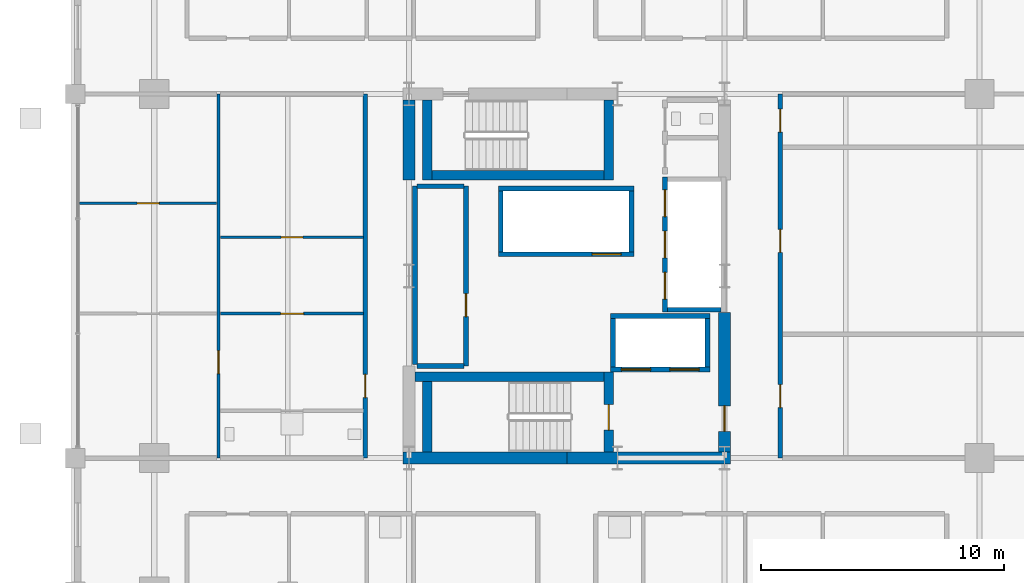
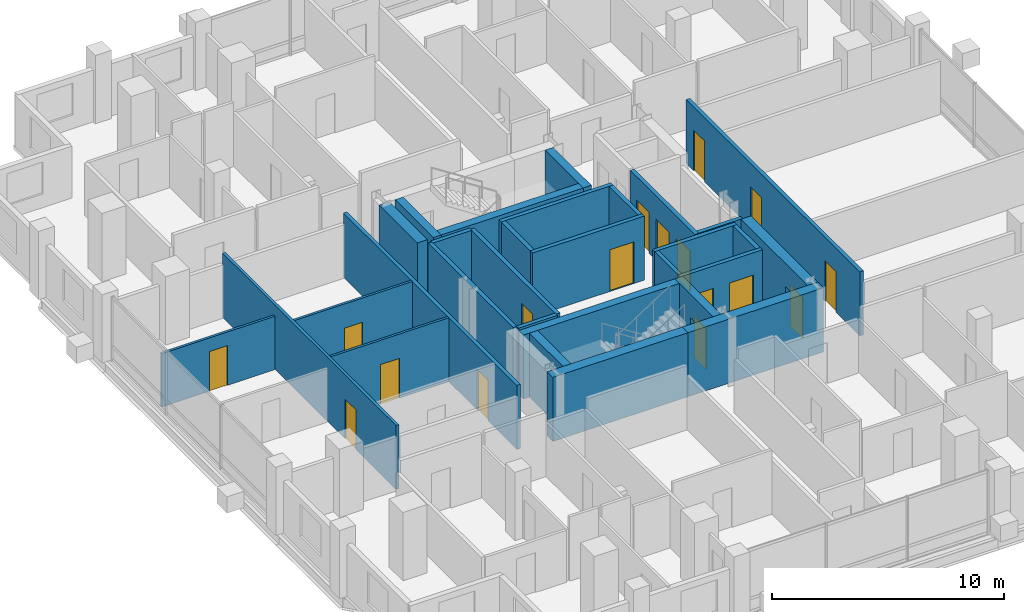
# One storey, part 15 of 20: 30 walls, 17 doors, 17 openings.
"""IFC4 building model written with IfcOpenShell, lengths in metres."""

from ifc_helpers import new_model, si_unit, direction, frame, frame_2d, origin, place, context, subcontext, project, spatial, rectangle, extrude, material, layer, layer_set, type_object, element, fill, save


model = new_model("IFC4")

# Units and contexts
model_context = context("Model", 3, precision=1e-05, world=origin(), true_north=direction((0.0, 1.0)))
body_context = subcontext(model_context, "Body", "Model", "MODEL_VIEW")
ifc_project = project(units=[si_unit("LENGTHUNIT", "METRE"), si_unit("AREAUNIT", "SQUARE_METRE"), si_unit("VOLUMEUNIT", "CUBIC_METRE"), si_unit("PLANEANGLEUNIT", "RADIAN"), si_unit("MASSUNIT", "GRAM", prefix="KILO")], contexts=[model_context])

# Site, building, storey
site_placement = place(None, origin())
site = spatial("IfcSite", under=ifc_project, at=site_placement, CompositionType="ELEMENT")
building_placement = place(site_placement, origin())
building = spatial("IfcBuilding", under=site, at=building_placement, Name="Barlavira Tower and Art Museum", CompositionType="ELEMENT")
storey_placement = place(building_placement, frame((0.0, 0.0, 136.800048828125)))
storey = spatial("IfcBuildingStorey", under=building, at=storey_placement, Name="L34", CompositionType="ELEMENT", Elevation=136.800048828125)

# Wall, opening, door
ifc_material_1 = material(Name="Gypsum acoustic stud partition", Category="gypsum")
ifc_layer_1 = layer(ifc_material_1, 0.1201171875, Name="Gypsum acoustic stud partition")
ifc_layer_set_1 = layer_set([ifc_layer_1], Name="Gypsum acoustic stud partition")
wall_type_1 = type_object("IfcWallType", Name="Apartment Internal Acoustic Partition 120", PredefinedType="PARTITIONING", material=ifc_layer_set_1)
wall_1_placement = place(storey_placement, frame((-14.27001953125, -1.550048828125, 0.0), z_axis=(0.0, 0.0, 1.0), x_axis=(1.0, 0.0, 0.0)))
wall_1 = element("IfcWall", 1, at=wall_1_placement, inside=storey, type_object=wall_type_1, Name="L34 Partition Wall 54", PredefinedType="PARTITIONING", context=body_context, shape_type="SweptSolid", body=[
    extrude(rectangle(XDim=5.89013671875, YDim=0.1201171875, at=frame_2d((2.945068359375, 0.0))), origin(), (0.0, 0.0, 1.0), 3.3798828125),
])
opening_1_placement = place(wall_1_placement, frame((2.47509765625, 0.0, 0.0)))
opening_1 = element("IfcOpeningElement", 2, at=opening_1_placement, cuts=wall_1, Name="Opening D-02", PredefinedType="OPENING", context=body_context, shape_type="SweptSolid", body=[
    extrude(rectangle(XDim=0.949951171875, YDim=2.10009765625, at=frame_2d((0.47509765625, 1.050048828125))), frame((0.0, 0.070068359375, 0.0), z_axis=(0.0, -1.0, 0.0), x_axis=(1.0, 0.0, 0.0)), (0.0, 0.0, 1.0), 0.14013671875),
])
ifc_material_2 = material(Name="Engineered coastal hardwood", Category="wood")
door_type_1 = type_object("IfcDoorType", Name="Living and Salon Glazed-Leaf Door 950x2100", OperationType="NOTDEFINED", PredefinedType="DOOR", material=ifc_material_2)
door_1_placement = place(opening_1_placement, origin())
door_1 = element("IfcDoor", 3, at=door_1_placement, inside=storey, type_object=door_type_1, Name="Apartment W1 Kitchen Door", OperationType="SINGLE_SWING_RIGHT", OverallHeight=2.10009765625, OverallWidth=0.949951171875, PredefinedType="DOOR", context=body_context, shape_type="SweptSolid", body=[
    extrude(rectangle(XDim=0.949951171875, YDim=2.10009765625, at=frame_2d((0.47509765625, 1.050048828125))), frame((0.0, 0.02490234375, 0.0), z_axis=(0.0, -1.0, 0.0), x_axis=(1.0, 0.0, 0.0)), (0.0, 0.0, 1.0), 0.050048828125),
])
fill(opening_1, door_1)

wall_2_placement = place(storey_placement, frame((-14.27001953125, 1.60009765625, 0.0), z_axis=(0.0, 0.0, 1.0), x_axis=(1.0, 0.0, 0.0)))
wall_2 = element("IfcWall", 4, at=wall_2_placement, inside=storey, type_object=wall_type_1, Name="L34 Partition Wall 55", PredefinedType="PARTITIONING", context=body_context, shape_type="SweptSolid", body=[
    extrude(rectangle(XDim=5.89013671875, YDim=0.1201171875, at=frame_2d((2.945068359375, 0.0))), origin(), (0.0, 0.0, 1.0), 3.3798828125),
])
opening_2_placement = place(wall_2_placement, frame((2.5, 0.0, 0.0)))
opening_2 = element("IfcOpeningElement", 5, at=opening_2_placement, cuts=wall_2, Name="Opening D-01", PredefinedType="OPENING", context=body_context, shape_type="SweptSolid", body=[
    extrude(rectangle(XDim=0.89990234375, YDim=2.10009765625, at=frame_2d((0.449951171875, 1.050048828125))), frame((0.0, 0.070068359375, 0.0), z_axis=(0.0, -1.0, 0.0), x_axis=(1.0, 0.0, 0.0)), (0.0, 0.0, 1.0), 0.14013671875),
])
door_type_2 = type_object("IfcDoorType", Name="Internal Bedroom Timber Flush Door 900x2100", OperationType="NOTDEFINED", PredefinedType="DOOR", material=ifc_material_2)
door_2_placement = place(opening_2_placement, origin())
door_2 = element("IfcDoor", 6, at=door_2_placement, inside=storey, type_object=door_type_2, Name="Apartment W1 Walk-In Dressing Room Door", OperationType="SINGLE_SWING_LEFT", OverallHeight=2.10009765625, OverallWidth=0.89990234375, PredefinedType="DOOR", context=body_context, shape_type="SweptSolid", body=[
    extrude(rectangle(XDim=0.89990234375, YDim=2.10009765625, at=frame_2d((0.449951171875, 1.050048828125))), frame((0.0, 0.02490234375, 0.0), z_axis=(0.0, -1.0, 0.0), x_axis=(1.0, 0.0, 0.0)), (0.0, 0.0, 1.0), 0.050048828125),
])
fill(opening_2, door_2)

wall_3_placement = place(storey_placement, frame((-20.070068359375, 3.0, 0.0), z_axis=(0.0, 0.0, 1.0), x_axis=(1.0, 0.0, 0.0)))
wall_3 = element("IfcWall", 7, at=wall_3_placement, inside=storey, type_object=wall_type_1, Name="L34 Partition Wall 56", PredefinedType="PARTITIONING", context=body_context, shape_type="SweptSolid", body=[
    extrude(rectangle(XDim=5.64013671875, YDim=0.1201171875, at=frame_2d((2.820068359375, 0.0))), origin(), (0.0, 0.0, 1.0), 2.81591796875),
])
opening_3_placement = place(wall_3_placement, frame((2.3701171875, 0.0, 0.0)))
opening_3 = element("IfcOpeningElement", 8, at=opening_3_placement, cuts=wall_3, Name="Opening D-01", PredefinedType="OPENING", context=body_context, shape_type="SweptSolid", body=[
    extrude(rectangle(XDim=0.89990234375, YDim=2.10009765625, at=frame_2d((0.449951171875, 1.050048828125))), frame((0.0, 0.070068359375, 0.0), z_axis=(0.0, -1.0, 0.0), x_axis=(1.0, 0.0, 0.0)), (0.0, 0.0, 1.0), 0.14013671875),
])
door_3_placement = place(opening_3_placement, origin())
door_3 = element("IfcDoor", 9, at=door_3_placement, inside=storey, type_object=door_type_2, Name="Apartment W1 Bedroom 2 Door", OperationType="SINGLE_SWING_RIGHT", OverallHeight=2.10009765625, OverallWidth=0.89990234375, PredefinedType="DOOR", context=body_context, shape_type="SweptSolid", body=[
    extrude(rectangle(XDim=0.89990234375, YDim=2.10009765625, at=frame_2d((0.449951171875, 1.050048828125))), frame((0.0, 0.02490234375, 0.0), z_axis=(0.0, -1.0, 0.0), x_axis=(1.0, 0.0, 0.0)), (0.0, 0.0, 1.0), 0.050048828125),
])
fill(opening_3, door_3)

# Walls
ifc_material_3 = material(Name="Concrete C60", Category="concrete")
ifc_layer_2 = layer(ifc_material_3, 0.5, Name="Concrete C60")
ifc_layer_set_2 = layer_set([ifc_layer_2], Name="Concrete C60")
wall_type_2 = type_object("IfcWallType", Name="Core Structural Shear Wall 500 Concrete C60", PredefinedType="SHEAR", material=ifc_layer_set_2)
for number, where, z_axis, x_axis, name in (
    (10, (-6.75, -7.5, 0.0), (0.0, 0.0, 1.0), (1.0, 0.0, 0.0), "L34 Core Shear Wall CS-SW"),
    (11, (0.0, -7.5, 0.0), (0.0, 0.0, 1.0), (1.0, 0.0, 0.0), "L34 Core Shear Wall CS-SE"),
):
    element("IfcWall", number, at=place(storey_placement, frame(where, z_axis=z_axis, x_axis=x_axis)), inside=storey, type_object=wall_type_2, Name=name, PredefinedType="SHEAR", context=body_context, shape_type="SweptSolid", body=[
        extrude(rectangle(XDim=6.75, YDim=0.5, at=frame_2d((3.375, 0.0))), origin(), (0.0, 0.0, 1.0), 3.3798828125),
    ])
wall_4_placement = place(storey_placement, frame((-6.5, 3.949951171875, 0.0), z_axis=(0.0, 0.0, 1.0), x_axis=(0.0, 1.0, 0.0)))
element("IfcWall", 12, at=wall_4_placement, inside=storey, type_object=wall_type_2, Name="L34 Core Shear Wall CS-W2", PredefinedType="SHEAR", context=body_context, shape_type="SweptSolid", body=[
    extrude(rectangle(XDim=3.300048828125, YDim=0.5, at=frame_2d((1.64990234375, 0.0))), origin(), (0.0, 0.0, 1.0), 3.3798828125),
])

# Wall, opening, door
wall_5_placement = place(storey_placement, frame((6.5, -7.25, 0.0), z_axis=(0.0, 0.0, 1.0), x_axis=(0.0, 1.0, 0.0)))
wall_5 = element("IfcWall", 13, at=wall_5_placement, inside=storey, type_object=wall_type_2, Name="L34 Core Shear Wall CS-E1", PredefinedType="SHEAR", context=body_context, shape_type="SweptSolid", body=[
    extrude(rectangle(XDim=5.75, YDim=0.5, at=frame_2d((2.875, 0.0))), origin(), (0.0, 0.0, 1.0), 3.3798828125),
])
opening_4_placement = place(wall_5_placement, frame((0.85009765625, 0.0, 0.0)))
opening_4 = element("IfcOpeningElement", 14, at=opening_4_placement, cuts=wall_5, Name="Opening FD-90", PredefinedType="OPENING", context=body_context, shape_type="SweptSolid", body=[
    extrude(rectangle(XDim=1.050048828125, YDim=2.14990234375, at=frame_2d((0.52490234375, 1.074951171875))), frame((0.0, 0.260009765625, 0.0), z_axis=(0.0, -1.0, 0.0), x_axis=(1.0, 0.0, 0.0)), (0.0, 0.0, 1.0), 0.52001953125),
])
ifc_material_4 = material(Name="Brushed stainless steel", Category="steel")
door_type_3 = type_object("IfcDoorType", Name="Stair and Refuge Fire Door 1050x2150 FD90S", OperationType="NOTDEFINED", PredefinedType="DOOR", material=ifc_material_4)
door_4_placement = place(opening_4_placement, origin())
door_4 = element("IfcDoor", 15, at=door_4_placement, inside=storey, type_object=door_type_3, Name="L34 Firefighting Lobby Entry Fire Door", OperationType="SINGLE_SWING_LEFT", OverallHeight=2.14990234375, OverallWidth=1.050048828125, PredefinedType="DOOR", context=body_context, shape_type="SweptSolid", body=[
    extrude(rectangle(XDim=1.050048828125, YDim=2.14990234375, at=frame_2d((0.52490234375, 1.074951171875))), frame((0.0, 0.02490234375, 0.0), z_axis=(0.0, -1.0, 0.0), x_axis=(1.0, 0.0, 0.0)), (0.0, 0.0, 1.0), 0.050048828125),
])
fill(opening_4, door_4)

# Wall, openings, doors
ifc_material_5 = material(Name="Autoclaved aerated concrete masonry", Category="masonry")
ifc_layer_3 = layer(ifc_material_5, 0.199951171875, Name="Autoclaved aerated concrete masonry")
ifc_layer_set_3 = layer_set([ifc_layer_3], Name="Autoclaved aerated concrete masonry")
wall_type_3 = type_object("IfcWallType", Name="Fire Compartment and Shaft Wall 200", PredefinedType="SOLIDWALL", material=ifc_layer_set_3)
wall_6_placement = place(storey_placement, frame((4.050048828125, -1.489990234375, 0.0), z_axis=(0.0, 0.0, 1.0), x_axis=(0.0, 1.0, 0.0)))
wall_6 = element("IfcWall", 16, at=wall_6_placement, inside=storey, type_object=wall_type_3, Name="L34 Mid-Rise Lift Front Shaft Wall", PredefinedType="SOLIDWALL", context=body_context, shape_type="SweptSolid", body=[
    extrude(rectangle(XDim=5.580078125, YDim=0.199951171875, at=frame_2d((2.7900390625, 0.0))), origin(), (0.0, 0.0, 1.0), 3.3798828125),
])
opening_5_placement = place(wall_6_placement, frame((0.5400390625, 0.0, 0.0)))
opening_5 = element("IfcOpeningElement", 17, at=opening_5_placement, cuts=wall_6, Name="Opening LD-P", PredefinedType="OPENING", context=body_context, shape_type="SweptSolid", body=[
    extrude(rectangle(XDim=1.10009765625, YDim=2.14990234375, at=frame_2d((0.550048828125, 1.074951171875))), frame((0.0, 0.10986328125, 0.0), z_axis=(0.0, -1.0, 0.0), x_axis=(1.0, 0.0, 0.0)), (0.0, 0.0, 1.0), 0.219970703125),
])
opening_6_placement = place(wall_6_placement, frame((2.239990234375, 0.0, 0.0)))
opening_6 = element("IfcOpeningElement", 18, at=opening_6_placement, cuts=wall_6, Name="Opening LD-P", PredefinedType="OPENING", context=body_context, shape_type="SweptSolid", body=[
    extrude(rectangle(XDim=1.10009765625, YDim=2.14990234375, at=frame_2d((0.550048828125, 1.074951171875))), frame((0.0, 0.10986328125, 0.0), z_axis=(0.0, -1.0, 0.0), x_axis=(1.0, 0.0, 0.0)), (0.0, 0.0, 1.0), 0.219970703125),
])
opening_7_placement = place(wall_6_placement, frame((3.93994140625, 0.0, 0.0)))
opening_7 = element("IfcOpeningElement", 19, at=opening_7_placement, cuts=wall_6, Name="Opening LD-P", PredefinedType="OPENING", context=body_context, shape_type="SweptSolid", body=[
    extrude(rectangle(XDim=1.10009765625, YDim=2.14990234375, at=frame_2d((0.550048828125, 1.074951171875))), frame((0.0, 0.10986328125, 0.0), z_axis=(0.0, -1.0, 0.0), x_axis=(1.0, 0.0, 0.0)), (0.0, 0.0, 1.0), 0.219970703125),
])
door_type_4 = type_object("IfcDoorType", Name="Passenger Lift Sliding Landing Door 1100x2150 FD60", OperationType="NOTDEFINED", PredefinedType="DOOR", material=ifc_material_4)
door_5_placement = place(opening_5_placement, origin())
door_5 = element("IfcDoor", 20, at=door_5_placement, inside=storey, type_object=door_type_4, Name="L34 Lift PM1 Sliding Landing Door", OperationType="DOUBLE_DOOR_SLIDING", OverallHeight=2.14990234375, OverallWidth=1.10009765625, PredefinedType="DOOR", context=body_context, shape_type="SweptSolid", body=[
    extrude(rectangle(XDim=1.10009765625, YDim=2.14990234375, at=frame_2d((0.550048828125, 1.074951171875))), frame((0.0, 0.02490234375, 0.0), z_axis=(0.0, -1.0, 0.0), x_axis=(1.0, 0.0, 0.0)), (0.0, 0.0, 1.0), 0.050048828125),
])
fill(opening_5, door_5)
door_6_placement = place(opening_6_placement, origin())
door_6 = element("IfcDoor", 21, at=door_6_placement, inside=storey, type_object=door_type_4, Name="L34 Lift PM2 Sliding Landing Door", OperationType="DOUBLE_DOOR_SLIDING", OverallHeight=2.14990234375, OverallWidth=1.10009765625, PredefinedType="DOOR", context=body_context, shape_type="SweptSolid", body=[
    extrude(rectangle(XDim=1.10009765625, YDim=2.14990234375, at=frame_2d((0.550048828125, 1.074951171875))), frame((0.0, 0.02490234375, 0.0), z_axis=(0.0, -1.0, 0.0), x_axis=(1.0, 0.0, 0.0)), (0.0, 0.0, 1.0), 0.050048828125),
])
fill(opening_6, door_6)
door_7_placement = place(opening_7_placement, origin())
door_7 = element("IfcDoor", 22, at=door_7_placement, inside=storey, type_object=door_type_4, Name="L34 Lift PM3 Sliding Landing Door", OperationType="DOUBLE_DOOR_SLIDING", OverallHeight=2.14990234375, OverallWidth=1.10009765625, PredefinedType="DOOR", context=body_context, shape_type="SweptSolid", body=[
    extrude(rectangle(XDim=1.10009765625, YDim=2.14990234375, at=frame_2d((0.550048828125, 1.074951171875))), frame((0.0, 0.02490234375, 0.0), z_axis=(0.0, -1.0, 0.0), x_axis=(1.0, 0.0, 0.0)), (0.0, 0.0, 1.0), 0.050048828125),
])
fill(opening_7, door_7)

# Wall
wall_7_placement = place(storey_placement, frame((4.14990234375, -1.389892578125, 0.0), z_axis=(0.0, 0.0, 1.0), x_axis=(1.0, 0.0, 0.0)))
element("IfcWall", 23, at=wall_7_placement, inside=storey, type_object=wall_type_3, Name="L34 Mid-Rise Lift South Shaft Wall", PredefinedType="SOLIDWALL", context=body_context, shape_type="SweptSolid", body=[
    extrude(rectangle(XDim=2.2001953125, YDim=0.199951171875, at=frame_2d((1.10009765625, 0.0))), origin(), (0.0, 0.0, 1.0), 3.3798828125),
])

# Wall, opening, door
wall_8_placement = place(storey_placement, frame((-2.820068359375, 0.89990234375, 0.0), z_axis=(0.0, 0.0, 1.0), x_axis=(1.0, 0.0, 0.0)))
wall_8 = element("IfcWall", 24, at=wall_8_placement, inside=storey, type_object=wall_type_3, Name="L34 High-Rise & Service Lift Front Wall", PredefinedType="SOLIDWALL", context=body_context, shape_type="SweptSolid", body=[
    extrude(rectangle(XDim=5.580078125, YDim=0.199951171875, at=frame_2d((2.7900390625, 0.0))), origin(), (0.0, 0.0, 1.0), 3.3798828125),
])
opening_8_placement = place(wall_8_placement, frame((3.860107421875, 0.0, 0.0)))
opening_8 = element("IfcOpeningElement", 25, at=opening_8_placement, cuts=wall_8, Name="Opening LD-F", PredefinedType="OPENING", context=body_context, shape_type="SweptSolid", body=[
    extrude(rectangle(XDim=1.199951171875, YDim=2.199951171875, at=frame_2d((0.60009765625, 1.10009765625))), frame((0.0, 0.10986328125, 0.0), z_axis=(0.0, -1.0, 0.0), x_axis=(1.0, 0.0, 0.0)), (0.0, 0.0, 1.0), 0.219970703125),
])
door_type_5 = type_object("IfcDoorType", Name="Firefighting and Service Lift Sliding Door 1200x2200 FD120", OperationType="NOTDEFINED", PredefinedType="DOOR", material=ifc_material_4)
door_8_placement = place(opening_8_placement, origin())
door_8 = element("IfcDoor", 26, at=door_8_placement, inside=storey, type_object=door_type_5, Name="L34 Stretcher Service Lift SL1 Sliding Door", OperationType="DOUBLE_DOOR_SLIDING", OverallHeight=2.199951171875, OverallWidth=1.199951171875, PredefinedType="DOOR", context=body_context, shape_type="SweptSolid", body=[
    extrude(rectangle(XDim=1.199951171875, YDim=2.199951171875, at=frame_2d((0.60009765625, 1.10009765625))), frame((0.0, 0.02490234375, 0.0), z_axis=(0.0, -1.0, 0.0), x_axis=(1.0, 0.0, 0.0)), (0.0, 0.0, 1.0), 0.050048828125),
])
fill(opening_8, door_8)

# Walls
wall_9_placement = place(storey_placement, frame((-2.820068359375, 3.60009765625, 0.0), z_axis=(0.0, 0.0, 1.0), x_axis=(1.0, 0.0, 0.0)))
element("IfcWall", 27, at=wall_9_placement, inside=storey, type_object=wall_type_3, Name="L34 High-Rise & Service Lift Back Wall", PredefinedType="SOLIDWALL", context=body_context, shape_type="SweptSolid", body=[
    extrude(rectangle(XDim=5.580078125, YDim=0.199951171875, at=frame_2d((2.7900390625, 0.0))), origin(), (0.0, 0.0, 1.0), 3.3798828125),
])
for number, where, z_axis, x_axis, name in (
    (28, (-2.719970703125, 1.0, 0.0), (0.0, 0.0, 1.0), (0.0, 1.0, 0.0), "L34 High-Rise & Service Lift West Wall"),
    (29, (2.659912109375, 1.0, 0.0), (0.0, 0.0, 1.0), (0.0, 1.0, 0.0), "L34 High-Rise & Service Lift East Wall"),
):
    element("IfcWall", number, at=place(storey_placement, frame(where, z_axis=z_axis, x_axis=x_axis)), inside=storey, type_object=wall_type_3, Name=name, PredefinedType="SOLIDWALL", context=body_context, shape_type="SweptSolid", body=[
        extrude(rectangle(XDim=2.5, YDim=0.199951171875, at=frame_2d((1.25, 0.0))), origin(), (0.0, 0.0, 1.0), 3.3798828125),
    ])

# Wall, openings, doors
wall_10_placement = place(storey_placement, frame((1.800048828125, -3.85009765625, 0.0), z_axis=(0.0, 0.0, 1.0), x_axis=(1.0, 0.0, 0.0)))
wall_10 = element("IfcWall", 30, at=wall_10_placement, inside=storey, type_object=wall_type_3, Name="L34 Firefighting Lift Front Shaft Wall", PredefinedType="SOLIDWALL", context=body_context, shape_type="SweptSolid", body=[
    extrude(rectangle(XDim=4.099853515625, YDim=0.199951171875, at=frame_2d((2.0498046875, 0.0))), origin(), (0.0, 0.0, 1.0), 3.3798828125),
])
opening_9_placement = place(wall_10_placement, frame((0.449951171875, 0.0, 0.0)))
opening_9 = element("IfcOpeningElement", 31, at=opening_9_placement, cuts=wall_10, Name="Opening LD-F", PredefinedType="OPENING", context=body_context, shape_type="SweptSolid", body=[
    extrude(rectangle(XDim=1.199951171875, YDim=2.199951171875, at=frame_2d((0.60009765625, 1.10009765625))), frame((0.0, 0.10986328125, 0.0), z_axis=(0.0, -1.0, 0.0), x_axis=(1.0, 0.0, 0.0)), (0.0, 0.0, 1.0), 0.219970703125),
])
opening_10_placement = place(wall_10_placement, frame((2.449951171875, 0.0, 0.0)))
opening_10 = element("IfcOpeningElement", 32, at=opening_10_placement, cuts=wall_10, Name="Opening LD-F", PredefinedType="OPENING", context=body_context, shape_type="SweptSolid", body=[
    extrude(rectangle(XDim=1.199951171875, YDim=2.199951171875, at=frame_2d((0.60009765625, 1.10009765625))), frame((0.0, 0.10986328125, 0.0), z_axis=(0.0, -1.0, 0.0), x_axis=(1.0, 0.0, 0.0)), (0.0, 0.0, 1.0), 0.219970703125),
])
door_9_placement = place(opening_9_placement, origin())
door_9 = element("IfcDoor", 33, at=door_9_placement, inside=storey, type_object=door_type_5, Name="L34 Firefighting Lift FF1 Sliding Door", OperationType="DOUBLE_DOOR_SLIDING", OverallHeight=2.199951171875, OverallWidth=1.199951171875, PredefinedType="DOOR", context=body_context, shape_type="SweptSolid", body=[
    extrude(rectangle(XDim=1.199951171875, YDim=2.199951171875, at=frame_2d((0.60009765625, 1.10009765625))), frame((0.0, 0.02490234375, 0.0), z_axis=(0.0, -1.0, 0.0), x_axis=(1.0, 0.0, 0.0)), (0.0, 0.0, 1.0), 0.050048828125),
])
fill(opening_9, door_9)
door_10_placement = place(opening_10_placement, origin())
door_10 = element("IfcDoor", 34, at=door_10_placement, inside=storey, type_object=door_type_5, Name="L34 Firefighting Lift FF2 Sliding Door", OperationType="DOUBLE_DOOR_SLIDING", OverallHeight=2.199951171875, OverallWidth=1.199951171875, PredefinedType="DOOR", context=body_context, shape_type="SweptSolid", body=[
    extrude(rectangle(XDim=1.199951171875, YDim=2.199951171875, at=frame_2d((0.60009765625, 1.10009765625))), frame((0.0, 0.02490234375, 0.0), z_axis=(0.0, -1.0, 0.0), x_axis=(1.0, 0.0, 0.0)), (0.0, 0.0, 1.0), 0.050048828125),
])
fill(opening_10, door_10)

# Walls
wall_11_placement = place(storey_placement, frame((1.800048828125, -1.64990234375, 0.0), z_axis=(0.0, 0.0, 1.0), x_axis=(1.0, 0.0, 0.0)))
element("IfcWall", 35, at=wall_11_placement, inside=storey, type_object=wall_type_3, Name="L34 Firefighting Lift Back Shaft Wall", PredefinedType="SOLIDWALL", context=body_context, shape_type="SweptSolid", body=[
    extrude(rectangle(XDim=4.099853515625, YDim=0.199951171875, at=frame_2d((2.0498046875, 0.0))), origin(), (0.0, 0.0, 1.0), 3.3798828125),
])
for number, where, z_axis, x_axis, name in (
    (36, (1.89990234375, -3.75, 0.0), (0.0, 0.0, 1.0), (0.0, 1.0, 0.0), "L34 Firefighting Lift West Shaft Wall"),
    (37, (5.800048828125, -3.75, 0.0), (0.0, 0.0, 1.0), (0.0, 1.0, 0.0), "L34 Firefighting Lift East Shaft Wall"),
):
    element("IfcWall", number, at=place(storey_placement, frame(where, z_axis=z_axis, x_axis=x_axis)), inside=storey, type_object=wall_type_3, Name=name, PredefinedType="SOLIDWALL", context=body_context, shape_type="SweptSolid", body=[
        extrude(rectangle(XDim=2.0, YDim=0.199951171875, at=frame_2d((1.0, 0.0))), origin(), (0.0, 0.0, 1.0), 3.3798828125),
    ])
wall_12_placement = place(storey_placement, frame((-6.25, -3.639892578125, 0.0), z_axis=(0.0, 0.0, 1.0), x_axis=(0.0, 1.0, 0.0)))
element("IfcWall", 38, at=wall_12_placement, inside=storey, type_object=wall_type_3, Name="L34 Partition Wall 13", PredefinedType="SOLIDWALL", context=body_context, shape_type="SweptSolid", body=[
    extrude(rectangle(XDim=7.33984375, YDim=0.199951171875, at=frame_2d((3.669921875, 0.0))), origin(), (0.0, 0.0, 1.0), 3.3798828125),
])

# Wall, opening, door
wall_13_placement = place(storey_placement, frame((-4.14990234375, -3.699951171875, 0.0), z_axis=(0.0, 0.0, 1.0), x_axis=(0.0, 1.0, 0.0)))
wall_13 = element("IfcWall", 39, at=wall_13_placement, inside=storey, type_object=wall_type_3, Name="L34 Partition Wall 14", PredefinedType="SOLIDWALL", context=body_context, shape_type="SweptSolid", body=[
    extrude(rectangle(XDim=7.39990234375, YDim=0.199951171875, at=frame_2d((3.699951171875, 0.0))), origin(), (0.0, 0.0, 1.0), 3.3798828125),
])
opening_11_placement = place(wall_13_placement, frame((2.02490234375, 0.0, 0.0)))
opening_11 = element("IfcOpeningElement", 40, at=opening_11_placement, cuts=wall_13, Name="Opening FD-60", PredefinedType="OPENING", context=body_context, shape_type="SweptSolid", body=[
    extrude(rectangle(XDim=0.949951171875, YDim=2.14990234375, at=frame_2d((0.47509765625, 1.074951171875))), frame((0.0, 0.10986328125, 0.0), z_axis=(0.0, -1.0, 0.0), x_axis=(1.0, 0.0, 0.0)), (0.0, 0.0, 1.0), 0.219970703125),
])
door_type_6 = type_object("IfcDoorType", Name="Apartment Entrance and Riser Fire Door 950x2150 FD60S", OperationType="NOTDEFINED", PredefinedType="DOOR", material=ifc_material_4)
door_11_placement = place(opening_11_placement, origin())
door_11 = element("IfcDoor", 41, at=door_11_placement, inside=storey, type_object=door_type_6, Name="Reclaimed Core Tenant Storage Vault Door", OperationType="SINGLE_SWING_LEFT", OverallHeight=2.14990234375, OverallWidth=0.949951171875, PredefinedType="DOOR", context=body_context, shape_type="SweptSolid", body=[
    extrude(rectangle(XDim=0.949951171875, YDim=2.14990234375, at=frame_2d((0.47509765625, 1.074951171875))), frame((0.0, 0.02490234375, 0.0), z_axis=(0.0, -1.0, 0.0), x_axis=(1.0, 0.0, 0.0)), (0.0, 0.0, 1.0), 0.050048828125),
])
fill(opening_11, door_11)

# Walls
for number, where, z_axis, x_axis, name in (
    (42, (-6.169921875, -3.699951171875, 0.0), (0.0, 0.0, 1.0), (1.0, 0.0, 0.0), "L34 Partition Wall 51"),
    (43, (-6.169921875, 3.699951171875, 0.0), (0.0, 0.0, 1.0), (1.0, 0.0, 0.0), "L34 Partition Wall 57"),
):
    element("IfcWall", number, at=place(storey_placement, frame(where, z_axis=z_axis, x_axis=x_axis)), inside=storey, type_object=wall_type_3, Name=name, PredefinedType="SOLIDWALL", context=body_context, shape_type="SweptSolid", body=[
        extrude(rectangle(XDim=1.93994140625, YDim=0.199951171875, at=frame_2d((0.969970703125, 0.0))), origin(), (0.0, 0.0, 1.0), 3.3798828125),
    ])

# Wall, opening, door
ifc_layer_4 = layer(ifc_material_1, 0.179931640625, Name="Gypsum acoustic stud partition")
ifc_layer_set_4 = layer_set([ifc_layer_4], Name="Gypsum acoustic stud partition")
wall_type_4 = type_object("IfcWallType", Name="Inter-Tenancy Party Partition Wall 180", PredefinedType="PARTITIONING", material=ifc_layer_set_4)
wall_14_placement = place(storey_placement, frame((-8.300048828125, -7.5, 0.0), z_axis=(0.0, 0.0, 1.0), x_axis=(0.0, 1.0, 0.0)))
wall_14 = element("IfcWall", 44, at=wall_14_placement, inside=storey, type_object=wall_type_4, Name="L34 Partition Wall 8", PredefinedType="PARTITIONING", context=body_context, shape_type="SweptSolid", body=[
    extrude(rectangle(XDim=15.0, YDim=0.179931640625, at=frame_2d((7.5, 0.0))), origin(), (0.0, 0.0, 1.0), 3.3798828125),
])
opening_12_placement = place(wall_14_placement, frame((2.4951171875, 0.0, 0.0)))
opening_12 = element("IfcOpeningElement", 45, at=opening_12_placement, cuts=wall_14, Name="Opening FD-60", PredefinedType="OPENING", context=body_context, shape_type="SweptSolid", body=[
    extrude(rectangle(XDim=0.949951171875, YDim=2.14990234375, at=frame_2d((0.47509765625, 1.074951171875))), frame((0.0, 0.10009765625, 0.0), z_axis=(0.0, -1.0, 0.0), x_axis=(1.0, 0.0, 0.0)), (0.0, 0.0, 1.0), 0.199951171875),
])
door_12_placement = place(opening_12_placement, origin())
door_12 = element("IfcDoor", 46, at=door_12_placement, inside=storey, type_object=door_type_6, Name="Apartment Entrance Hall W1 Door", OperationType="SINGLE_SWING_LEFT", OverallHeight=2.14990234375, OverallWidth=0.949951171875, PredefinedType="DOOR", context=body_context, shape_type="SweptSolid", body=[
    extrude(rectangle(XDim=0.949951171875, YDim=2.14990234375, at=frame_2d((0.47509765625, 1.074951171875))), frame((0.0, 0.02490234375, 0.0), z_axis=(0.0, -1.0, 0.0), x_axis=(1.0, 0.0, 0.0)), (0.0, 0.0, 1.0), 0.050048828125),
])
fill(opening_12, door_12)

# Wall, openings, doors
wall_15_placement = place(storey_placement, frame((8.800048828125, -7.5, 0.0), z_axis=(0.0, 0.0, 1.0), x_axis=(0.0, 1.0, 0.0)))
wall_15 = element("IfcWall", 47, at=wall_15_placement, inside=storey, type_object=wall_type_4, Name="L34 Partition Wall 24", PredefinedType="PARTITIONING", context=body_context, shape_type="SweptSolid", body=[
    extrude(rectangle(XDim=15.0, YDim=0.179931640625, at=frame_2d((7.5, 0.0))), origin(), (0.0, 0.0, 1.0), 3.3798828125),
])
opening_13_placement = place(wall_15_placement, frame((2.074951171875, 0.0, 0.0)))
opening_13 = element("IfcOpeningElement", 48, at=opening_13_placement, cuts=wall_15, Name="Opening FD-60", PredefinedType="OPENING", context=body_context, shape_type="SweptSolid", body=[
    extrude(rectangle(XDim=0.949951171875, YDim=2.14990234375, at=frame_2d((0.47509765625, 1.074951171875))), frame((0.0, 0.10009765625, 0.0), z_axis=(0.0, -1.0, 0.0), x_axis=(1.0, 0.0, 0.0)), (0.0, 0.0, 1.0), 0.199951171875),
])
opening_14_placement = place(wall_15_placement, frame((8.47509765625, 0.0, 0.0)))
opening_14 = element("IfcOpeningElement", 49, at=opening_14_placement, cuts=wall_15, Name="Opening FD-60", PredefinedType="OPENING", context=body_context, shape_type="SweptSolid", body=[
    extrude(rectangle(XDim=0.949951171875, YDim=2.14990234375, at=frame_2d((0.47509765625, 1.074951171875))), frame((0.0, 0.10009765625, 0.0), z_axis=(0.0, -1.0, 0.0), x_axis=(1.0, 0.0, 0.0)), (0.0, 0.0, 1.0), 0.199951171875),
])
opening_15_placement = place(wall_15_placement, frame((13.425048828125, 0.0, 0.0)))
opening_15 = element("IfcOpeningElement", 50, at=opening_15_placement, cuts=wall_15, Name="Opening FD-60", PredefinedType="OPENING", context=body_context, shape_type="SweptSolid", body=[
    extrude(rectangle(XDim=0.949951171875, YDim=2.14990234375, at=frame_2d((0.47509765625, 1.074951171875))), frame((0.0, 0.10009765625, 0.0), z_axis=(0.0, -1.0, 0.0), x_axis=(1.0, 0.0, 0.0)), (0.0, 0.0, 1.0), 0.199951171875),
])
door_13_placement = place(opening_13_placement, origin())
door_13 = element("IfcDoor", 51, at=door_13_placement, inside=storey, type_object=door_type_6, Name="Resident Rare-Book Reading Room Door", OperationType="SINGLE_SWING_LEFT", OverallHeight=2.14990234375, OverallWidth=0.949951171875, PredefinedType="DOOR", context=body_context, shape_type="SweptSolid", body=[
    extrude(rectangle(XDim=0.949951171875, YDim=2.14990234375, at=frame_2d((0.47509765625, 1.074951171875))), frame((0.0, 0.02490234375, 0.0), z_axis=(0.0, -1.0, 0.0), x_axis=(1.0, 0.0, 0.0)), (0.0, 0.0, 1.0), 0.050048828125),
])
fill(opening_13, door_13)
door_14_placement = place(opening_14_placement, origin())
door_14 = element("IfcDoor", 52, at=door_14_placement, inside=storey, type_object=door_type_6, Name="Private Coastal Dining Salon Door", OperationType="SINGLE_SWING_RIGHT", OverallHeight=2.14990234375, OverallWidth=0.949951171875, PredefinedType="DOOR", context=body_context, shape_type="SweptSolid", body=[
    extrude(rectangle(XDim=0.949951171875, YDim=2.14990234375, at=frame_2d((0.47509765625, 1.074951171875))), frame((0.0, 0.02490234375, 0.0), z_axis=(0.0, -1.0, 0.0), x_axis=(1.0, 0.0, 0.0)), (0.0, 0.0, 1.0), 0.050048828125),
])
fill(opening_14, door_14)
door_15_placement = place(opening_15_placement, origin())
door_15 = element("IfcDoor", 53, at=door_15_placement, inside=storey, type_object=door_type_6, Name="Shared Catering Kitchen Door", OperationType="SINGLE_SWING_LEFT", OverallHeight=2.14990234375, OverallWidth=0.949951171875, PredefinedType="DOOR", context=body_context, shape_type="SweptSolid", body=[
    extrude(rectangle(XDim=0.949951171875, YDim=2.14990234375, at=frame_2d((0.47509765625, 1.074951171875))), frame((0.0, 0.02490234375, 0.0), z_axis=(0.0, -1.0, 0.0), x_axis=(1.0, 0.0, 0.0)), (0.0, 0.0, 1.0), 0.050048828125),
])
fill(opening_15, door_15)

# Wall, opening, door
ifc_layer_5 = layer(ifc_material_1, 0.139892578125, Name="Gypsum acoustic stud partition")
ifc_layer_set_5 = layer_set([ifc_layer_5], Name="Gypsum acoustic stud partition")
wall_type_5 = type_object("IfcWallType", Name="Moisture-Resistant Bathroom Partition 140", PredefinedType="PARTITIONING", material=ifc_layer_set_5)
wall_16_placement = place(storey_placement, frame((-14.35009765625, -7.5, 0.0), z_axis=(0.0, 0.0, 1.0), x_axis=(0.0, 1.0, 0.0)))
wall_16 = element("IfcWall", 54, at=wall_16_placement, inside=storey, type_object=wall_type_5, Name="L34 Partition Wall 3", PredefinedType="PARTITIONING", context=body_context, shape_type="SweptSolid", body=[
    extrude(rectangle(XDim=15.0, YDim=0.139892578125, at=frame_2d((7.5, 0.0))), origin(), (0.0, 0.0, 1.0), 3.3798828125),
])
opening_16_placement = place(wall_16_placement, frame((3.47509765625, 0.0, 0.0)))
opening_16 = element("IfcOpeningElement", 55, at=opening_16_placement, cuts=wall_16, Name="Opening D-02", PredefinedType="OPENING", context=body_context, shape_type="SweptSolid", body=[
    extrude(rectangle(XDim=0.949951171875, YDim=2.10009765625, at=frame_2d((0.47509765625, 1.050048828125))), frame((0.0, 0.080078125, 0.0), z_axis=(0.0, -1.0, 0.0), x_axis=(1.0, 0.0, 0.0)), (0.0, 0.0, 1.0), 0.159912109375),
])
door_16_placement = place(opening_16_placement, origin())
door_16 = element("IfcDoor", 56, at=door_16_placement, inside=storey, type_object=door_type_1, Name="Apartment W1 Living Lounge Door", OperationType="SINGLE_SWING_RIGHT", OverallHeight=2.10009765625, OverallWidth=0.949951171875, PredefinedType="DOOR", context=body_context, shape_type="SweptSolid", body=[
    extrude(rectangle(XDim=0.949951171875, YDim=2.10009765625, at=frame_2d((0.47509765625, 1.050048828125))), frame((0.0, 0.02490234375, 0.0), z_axis=(0.0, -1.0, 0.0), x_axis=(1.0, 0.0, 0.0)), (0.0, 0.0, 1.0), 0.050048828125),
])
fill(opening_16, door_16)

# Walls
ifc_material_6 = material(Name="Concrete C55", Category="concrete")
ifc_layer_6 = layer(ifc_material_6, 0.39990234375, Name="Concrete C55")
ifc_layer_set_6 = layer_set([ifc_layer_6], Name="Concrete C55")
wall_type_6 = type_object("IfcWallType", Name="Upper Core Shear Wall 400 Concrete C55", PredefinedType="SHEAR", material=ifc_layer_set_6)
wall_17_placement = place(storey_placement, frame((-5.75, -7.25, 0.0), z_axis=(0.0, 0.0, 1.0), x_axis=(0.0, 1.0, 0.0)))
element("IfcWall", 57, at=wall_17_placement, inside=storey, type_object=wall_type_6, Name="L34 ST-T1 West Half-Landing Wall", PredefinedType="SHEAR", context=body_context, shape_type="SweptSolid", body=[
    extrude(rectangle(XDim=2.89990234375, YDim=0.39990234375, at=frame_2d((1.449951171875, 0.0))), origin(), (0.0, 0.0, 1.0), 3.3798828125),
])
wall_18_placement = place(storey_placement, frame((-6.25, -4.14990234375, 0.0), z_axis=(0.0, 0.0, 1.0), x_axis=(1.0, 0.0, 0.0)))
element("IfcWall", 58, at=wall_18_placement, inside=storey, type_object=wall_type_6, Name="L34 ST-T1 North Shaft Wall", PredefinedType="SHEAR", context=body_context, shape_type="SweptSolid", body=[
    extrude(rectangle(XDim=7.780029296875, YDim=0.39990234375, at=frame_2d((3.89013671875, 0.0))), origin(), (0.0, 0.0, 1.0), 3.3798828125),
])

# Wall, opening, door
wall_19_placement = place(storey_placement, frame((1.72998046875, -7.25, 0.0), z_axis=(0.0, 0.0, 1.0), x_axis=(0.0, 1.0, 0.0)))
wall_19 = element("IfcWall", 59, at=wall_19_placement, inside=storey, type_object=wall_type_6, Name="L34 ST-T1 East Landing Wall", PredefinedType="SHEAR", context=body_context, shape_type="SweptSolid", body=[
    extrude(rectangle(XDim=3.300048828125, YDim=0.39990234375, at=frame_2d((1.64990234375, 0.0))), origin(), (0.0, 0.0, 1.0), 3.3798828125),
])
opening_17_placement = place(wall_19_placement, frame((0.89990234375, 0.0, 0.0)))
opening_17 = element("IfcOpeningElement", 60, at=opening_17_placement, cuts=wall_19, Name="Opening FD-90", PredefinedType="OPENING", context=body_context, shape_type="SweptSolid", body=[
    extrude(rectangle(XDim=1.050048828125, YDim=2.14990234375, at=frame_2d((0.52490234375, 1.074951171875))), frame((0.0, 0.2099609375, 0.0), z_axis=(0.0, -1.0, 0.0), x_axis=(1.0, 0.0, 0.0)), (0.0, 0.0, 1.0), 0.419921875),
])
door_17_placement = place(opening_17_placement, origin())
door_17 = element("IfcDoor", 61, at=door_17_placement, inside=storey, type_object=door_type_3, Name="L34 Stair ST-T1 Fire Door", OperationType="SINGLE_SWING_RIGHT", OverallHeight=2.14990234375, OverallWidth=1.050048828125, PredefinedType="DOOR", context=body_context, shape_type="SweptSolid", body=[
    extrude(rectangle(XDim=1.050048828125, YDim=2.14990234375, at=frame_2d((0.52490234375, 1.074951171875))), frame((0.0, 0.02490234375, 0.0), z_axis=(0.0, -1.0, 0.0), x_axis=(1.0, 0.0, 0.0)), (0.0, 0.0, 1.0), 0.050048828125),
])
fill(opening_17, door_17)

# Walls
wall_20_placement = place(storey_placement, frame((-5.550048828125, 4.14990234375, 0.0), z_axis=(0.0, 0.0, 1.0), x_axis=(1.0, 0.0, 0.0)))
element("IfcWall", 62, at=wall_20_placement, inside=storey, type_object=wall_type_6, Name="L34 ST-T2 South Shaft Wall", PredefinedType="SHEAR", context=body_context, shape_type="SweptSolid", body=[
    extrude(rectangle(XDim=7.080078125, YDim=0.39990234375, at=frame_2d((3.5400390625, 0.0))), origin(), (0.0, 0.0, 1.0), 3.3798828125),
])
for number, where, z_axis, x_axis, name in (
    (63, (1.72998046875, 3.949951171875, 0.0), (0.0, 0.0, 1.0), (0.0, 1.0, 0.0), "L34 ST-T2 East Half-Landing Wall"),
    (64, (-5.75, 3.949951171875, 0.0), (0.0, 0.0, 1.0), (0.0, 1.0, 0.0), "L34 ST-T2 West Shaft Wall"),
):
    element("IfcWall", number, at=place(storey_placement, frame(where, z_axis=z_axis, x_axis=x_axis)), inside=storey, type_object=wall_type_6, Name=name, PredefinedType="SHEAR", context=body_context, shape_type="SweptSolid", body=[
        extrude(rectangle(XDim=3.300048828125, YDim=0.39990234375, at=frame_2d((1.64990234375, 0.0))), origin(), (0.0, 0.0, 1.0), 3.3798828125),
    ])

save(model, "model.ifc")
